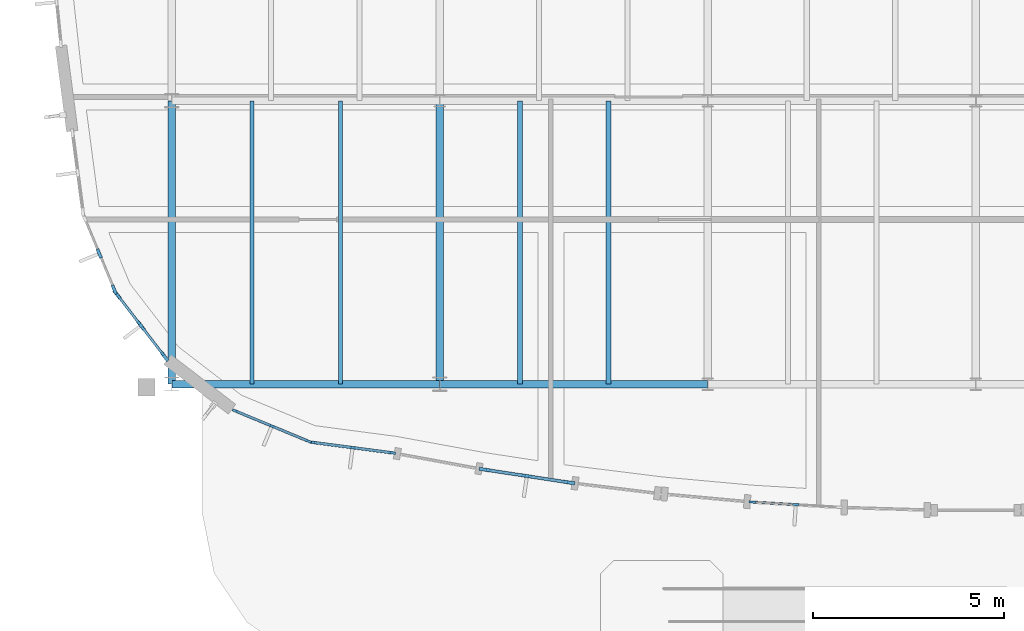
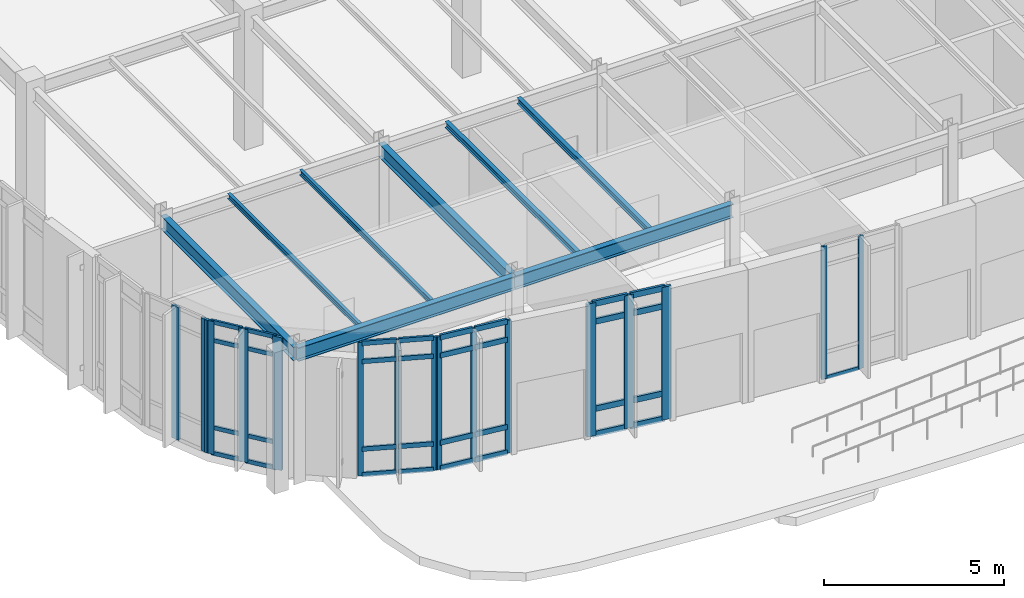
# One storey, part 38 of 120: 49 members, 8 beams, 6 elements without a shape of their own.
"""IFC4 building model written with IfcOpenShell, lengths in metres."""

from ifc_helpers import new_model, si_unit, direction, frame, origin, origin_2d, place, context, subcontext, project, spatial, rectangle, i_section, extrude, material, material_profile, profile_set, type_object, element, aggregate, save


model = new_model("IFC4")

# Units and contexts
model_context = context("Model", 3, precision=1e-05, world=origin(), true_north=direction((0.0, 1.0)))
body_context = subcontext(model_context, "Body", "Model", "MODEL_VIEW")
ifc_project = project(units=[si_unit("LENGTHUNIT", "METRE"), si_unit("AREAUNIT", "SQUARE_METRE"), si_unit("VOLUMEUNIT", "CUBIC_METRE"), si_unit("PLANEANGLEUNIT", "RADIAN"), si_unit("MASSUNIT", "GRAM", prefix="KILO")], contexts=[model_context])

# Site, building, storey
site_placement = place(None, origin())
site = spatial("IfcSite", under=ifc_project, at=site_placement, CompositionType="ELEMENT")
building_placement = place(site_placement, origin())
building = spatial("IfcBuilding", under=site, at=building_placement, Name="Corveleigh Park Community Centre", CompositionType="ELEMENT")
storey_placement = place(building_placement, origin())
storey = spatial("IfcBuildingStorey", under=building, at=storey_placement, Name="L00", CompositionType="ELEMENT", Elevation=0.0)

# Beams
ifc_material_1 = material(Name="Steel S355", Category="steel")
ifc_material_profile_1 = material_profile(ifc_material_1, i_section(OverallWidth=0.101318359375, OverallDepth=0.177734375, WebThickness=0.0048828125, FlangeThickness=0.0078125, at=origin_2d()), Name="UKB 178x102x19", Category="steel")
ifc_profile_set_1 = profile_set([ifc_material_profile_1], Name="Steel S355")
beam_type_1 = type_object("IfcBeamType", Name="BM-STL-UKB178x19", PredefinedType="JOIST", material=ifc_profile_set_1)
for number, where, z_axis, x_axis, name in (
    (1, (13.300048828125, 78.0048828125, 4.43798828125), (0.0, 1.0, 0.0), (-1.0, 0.0, 0.0), "Secondary floor joist"),
    (2, (15.610107421875, 78.0048828125, 4.43798828125), (0.0, 1.0, 0.0), (-1.0, 0.0, 0.0), "Secondary floor joist"),
):
    element("IfcBeam", number, at=place(storey_placement, frame(where, z_axis=z_axis, x_axis=x_axis)), inside=storey, type_object=beam_type_1, Name=name, PredefinedType="JOIST", context=body_context, shape_type="SweptSolid", body=[
        extrude(i_section(OverallWidth=0.101318359375, OverallDepth=0.177734375, WebThickness=0.0048828125, FlangeThickness=0.0078125, at=origin_2d()), origin(), (0.0, 0.0, 1.0), 7.39013671875),
    ])
ifc_material_profile_2 = material_profile(ifc_material_1, i_section(OverallWidth=0.13330078125, OverallDepth=0.203125, WebThickness=0.005615234375, FlangeThickness=0.0078125, at=origin_2d()), Name="UKB 203x133x25", Category="steel")
ifc_profile_set_2 = profile_set([ifc_material_profile_2], Name="Steel S355")
beam_type_2 = type_object("IfcBeamType", Name="BM-STL-UKB203x25", PredefinedType="JOIST", material=ifc_profile_set_2)
for number, where, z_axis, x_axis, name in (
    (3, (20.300048828125, 78.0048828125, 4.42529296875), (0.0, 1.0, 0.0), (-1.0, 0.0, 0.0), "Secondary floor joist"),
    (4, (22.610107421875, 78.0048828125, 4.42529296875), (0.0, 1.0, 0.0), (-1.0, 0.0, 0.0), "Secondary floor joist"),
):
    element("IfcBeam", number, at=place(storey_placement, frame(where, z_axis=z_axis, x_axis=x_axis)), inside=storey, type_object=beam_type_2, Name=name, PredefinedType="JOIST", context=body_context, shape_type="SweptSolid", body=[
        extrude(i_section(OverallWidth=0.13330078125, OverallDepth=0.203125, WebThickness=0.005615234375, FlangeThickness=0.0078125, at=origin_2d()), origin(), (0.0, 0.0, 1.0), 7.39013671875),
    ])
ifc_material_profile_3 = material_profile(ifc_material_1, i_section(OverallWidth=0.1904296875, OverallDepth=0.45703125, WebThickness=0.009033203125, FlangeThickness=0.014404296875, at=origin_2d()), Name="UKB 457x191x74", Category="steel")
ifc_profile_set_3 = profile_set([ifc_material_profile_3], Name="Steel S355")
beam_type_3 = type_object("IfcBeamType", Name="BM-STL-UKB457x74", PredefinedType="BEAM", material=ifc_profile_set_3)
for number, where, z_axis, x_axis, name in (
    (5, (11.199951171875, 78.0048828125, 4.298583984375), (0.0, 1.0, 0.0), (-1.0, 0.0, 0.0), "V2 Studio Girder Y"),
    (6, (18.199951171875, 78.0048828125, 4.298583984375), (0.0, 1.0, 0.0), (-1.0, 0.0, 0.0), "V2 Studio Girder Y"),
):
    element("IfcBeam", number, at=place(storey_placement, frame(where, z_axis=z_axis, x_axis=x_axis)), inside=storey, type_object=beam_type_3, Name=name, PredefinedType="BEAM", context=body_context, shape_type="SweptSolid", body=[
        extrude(i_section(OverallWidth=0.1904296875, OverallDepth=0.45703125, WebThickness=0.009033203125, FlangeThickness=0.014404296875, at=origin_2d()), origin(), (0.0, 0.0, 1.0), 7.39013671875),
    ])
ifc_material_profile_4 = material_profile(ifc_material_1, i_section(OverallWidth=0.19140625, OverallDepth=0.4599609375, WebThickness=0.010009765625, FlangeThickness=0.01611328125, at=origin_2d()), Name="UKB 457x191x82", Category="steel")
ifc_profile_set_4 = profile_set([ifc_material_profile_4], Name="Steel S355")
beam_type_4 = type_object("IfcBeamType", Name="BM-STL-UKB457x82", PredefinedType="BEAM", material=ifc_profile_set_4)
for number, where, z_axis, x_axis, name in (
    (7, (11.205078125, 78.0, 4.297119140625), (1.0, 0.0, 0.0), (0.0, 1.0, 0.0), "V2 Studio Girder X"),
    (8, (18.205078125, 78.0, 4.297119140625), (1.0, 0.0, 0.0), (0.0, 1.0, 0.0), "V2 Studio Girder X"),
):
    element("IfcBeam", number, at=place(storey_placement, frame(where, z_axis=z_axis, x_axis=x_axis)), inside=storey, type_object=beam_type_4, Name=name, PredefinedType="BEAM", context=body_context, shape_type="SweptSolid", body=[
        extrude(i_section(OverallWidth=0.19140625, OverallDepth=0.4599609375, WebThickness=0.010009765625, FlangeThickness=0.01611328125, at=origin_2d()), origin(), (0.0, 0.0, 1.0), 6.989990234375),
    ])

# Curtain wall, members
ifc_material_2 = material(Name="Anodised aluminium 6063-T6", Category="aluminium")
curtain_wall_type = type_object("IfcCurtainWallType", Name="CW-SYS-V2-L00", PredefinedType="NOTDEFINED", material=ifc_material_2)
curtain_wall_1_placement = place(storey_placement, origin())
curtain_wall_1 = element("IfcCurtainWall", 9, at=curtain_wall_1_placement, inside=storey, type_object=curtain_wall_type, Name="V2 L00 Curtain Wall 31", PredefinedType="NOTDEFINED")
ifc_material_profile_5 = material_profile(ifc_material_2, rectangle(XDim=0.06005859375, YDim=0.159912109375, at=origin_2d()), Name="ALU-M60x160", Category="aluminium")
ifc_profile_set_5 = profile_set([ifc_material_profile_5], Name="Anodised aluminium 6063-T6")
member_type_1 = type_object("IfcMemberType", Name="CWM-60x160", PredefinedType="MULLION", material=ifc_profile_set_5)
member_1_placement = place(storey_placement, frame((27.49658203125, 74.85205078125, 0.0), z_axis=(0.0, 0.0, 1.0), x_axis=(-0.059952027591, -0.99820125946, 0.0)))
member_1 = element("IfcMember", 10, at=member_1_placement, type_object=member_type_1, Name="CW03 mullion 2", PredefinedType="MULLION", context=body_context, shape_type="SweptSolid", body=[
    extrude(rectangle(XDim=0.06005859375, YDim=0.159912109375, at=origin_2d()), origin(), (0.0, 0.0, 1.0), 4.511962890625),
])
member_2_placement = place(storey_placement, frame((26.36083984375, 74.920166015625, 0.0), z_axis=(0.0, 0.0, 1.0), x_axis=(-0.059952027591, -0.99820125946, 0.0)))
member_2 = element("IfcMember", 11, at=member_2_placement, type_object=member_type_1, Name="CW03 mullion 3", PredefinedType="MULLION", context=body_context, shape_type="SweptSolid", body=[
    extrude(rectangle(XDim=0.06005859375, YDim=0.159912109375, at=origin_2d()), origin(), (0.0, 0.0, 1.0), 4.511962890625),
])

curtain_wall_2_placement = place(storey_placement, origin())
curtain_wall_2 = element("IfcCurtainWall", 12, at=curtain_wall_2_placement, inside=storey, type_object=curtain_wall_type, Name="V2 L00 Curtain Wall 73", PredefinedType="NOTDEFINED")
member_3_placement = place(storey_placement, frame((14.768310546875, 76.509521484375, 0.0), z_axis=(0.0, 0.0, 1.0), x_axis=(-0.382946568059, -0.923770494231, 0.0)))
member_3 = element("IfcMember", 13, at=member_3_placement, type_object=member_type_1, Name="CW03 mullion 1", PredefinedType="MULLION", context=body_context, shape_type="SweptSolid", body=[
    extrude(rectangle(XDim=0.06005859375, YDim=0.159912109375, at=origin_2d()), origin(), (0.0, 0.0, 1.0), 4.527099609375),
])
member_4_placement = place(storey_placement, frame((13.81298828125, 76.905517578125, 0.0), z_axis=(0.0, 0.0, 1.0), x_axis=(-0.382946568059, -0.923770494231, 0.0)))
member_4 = element("IfcMember", 14, at=member_4_placement, type_object=member_type_1, Name="CW03 mullion 2", PredefinedType="MULLION", context=body_context, shape_type="SweptSolid", body=[
    extrude(rectangle(XDim=0.06005859375, YDim=0.159912109375, at=origin_2d()), origin(), (0.0, 0.0, 1.0), 4.527099609375),
])
member_5_placement = place(storey_placement, frame((12.857666015625, 77.301513671875, 0.0), z_axis=(0.0, 0.0, 1.0), x_axis=(-0.382946568059, -0.923770494231, 0.0)))
member_5 = element("IfcMember", 15, at=member_5_placement, type_object=member_type_1, Name="CW03 mullion 3", PredefinedType="MULLION", context=body_context, shape_type="SweptSolid", body=[
    extrude(rectangle(XDim=0.06005859375, YDim=0.159912109375, at=origin_2d()), origin(), (0.0, 0.0, 1.0), 4.527099609375),
])

curtain_wall_3_placement = place(storey_placement, origin())
curtain_wall_3 = element("IfcCurtainWall", 16, at=curtain_wall_3_placement, inside=storey, type_object=curtain_wall_type, Name="V2 L00 Curtain Wall 74", PredefinedType="NOTDEFINED")
ifc_material_profile_6 = material_profile(ifc_material_2, rectangle(XDim=0.06494140625, YDim=0.179931640625, at=origin_2d()), Name="ALU-M65x180", Category="aluminium")
ifc_profile_set_6 = profile_set([ifc_material_profile_6], Name="Anodised aluminium 6063-T6")
member_type_2 = type_object("IfcMemberType", Name="CWM-65x180", PredefinedType="MULLION", material=ifc_profile_set_6)
member_6_placement = place(storey_placement, frame((16.956787109375, 76.205322265625, 0.0), z_axis=(0.0, 0.0, 1.0), x_axis=(-0.130731305458, -0.991417836118, 0.0)))
member_6 = element("IfcMember", 17, at=member_6_placement, type_object=member_type_2, Name="CW03 mullion 1", PredefinedType="MULLION", context=body_context, shape_type="SweptSolid", body=[
    extrude(rectangle(XDim=0.06494140625, YDim=0.179931640625, at=origin_2d()), origin(), (0.0, 0.0, 1.0), 4.511962890625),
])
member_7_placement = place(storey_placement, frame((15.923583984375, 76.341552734375, 0.0), z_axis=(0.0, 0.0, 1.0), x_axis=(-0.130731305458, -0.991417836118, 0.0)))
member_7 = element("IfcMember", 18, at=member_7_placement, type_object=member_type_2, Name="CW03 mullion 2", PredefinedType="MULLION", context=body_context, shape_type="SweptSolid", body=[
    extrude(rectangle(XDim=0.06494140625, YDim=0.179931640625, at=origin_2d()), origin(), (0.0, 0.0, 1.0), 4.511962890625),
])
member_8_placement = place(storey_placement, frame((14.89013671875, 76.477783203125, 0.0), z_axis=(0.0, 0.0, 1.0), x_axis=(-0.130731305458, -0.991417836118, 0.0)))
member_8 = element("IfcMember", 19, at=member_8_placement, type_object=member_type_2, Name="CW03 mullion 3", PredefinedType="MULLION", context=body_context, shape_type="SweptSolid", body=[
    extrude(rectangle(XDim=0.06494140625, YDim=0.179931640625, at=origin_2d()), origin(), (0.0, 0.0, 1.0), 4.511962890625),
])

curtain_wall_4_placement = place(storey_placement, origin())
curtain_wall_4 = element("IfcCurtainWall", 20, at=curtain_wall_4_placement, inside=storey, type_object=curtain_wall_type, Name="V2 L00 Curtain Wall 71", PredefinedType="NOTDEFINED")
ifc_material_profile_7 = material_profile(ifc_material_2, rectangle(XDim=0.080078125, YDim=0.25, at=origin_2d()), Name="ALU-M80x250", Category="aluminium")
ifc_profile_set_7 = profile_set([ifc_material_profile_7], Name="Anodised aluminium 6063-T6")
member_type_3 = type_object("IfcMemberType", Name="CWM-80x250", PredefinedType="MULLION", material=ifc_profile_set_7)
member_9_placement = place(storey_placement, frame((9.69775390625, 80.467041015625, 0.0), z_axis=(0.0, 0.0, 1.0), x_axis=(-0.923770494231, -0.382946568059, 0.0)))
member_9 = element("IfcMember", 21, at=member_9_placement, type_object=member_type_3, Name="CW03 mullion 1", PredefinedType="MULLION", context=body_context, shape_type="SweptSolid", body=[
    extrude(rectangle(XDim=0.080078125, YDim=0.25, at=origin_2d()), origin(), (0.0, 0.0, 1.0), 4.511962890625),
])
member_10_placement = place(storey_placement, frame((9.305419921875, 81.4130859375, 0.0), z_axis=(0.0, 0.0, 1.0), x_axis=(-0.923770494231, -0.382946568059, 0.0)))
member_10 = element("IfcMember", 22, at=member_10_placement, type_object=member_type_3, Name="CW03 mullion 2", PredefinedType="MULLION", context=body_context, shape_type="SweptSolid", body=[
    extrude(rectangle(XDim=0.080078125, YDim=0.25, at=origin_2d()), origin(), (0.0, 0.0, 1.0), 4.511962890625),
])
aggregate(curtain_wall_4, [member_9, member_10])

curtain_wall_5_placement = place(storey_placement, origin())
curtain_wall_5 = element("IfcCurtainWall", 23, at=curtain_wall_5_placement, inside=storey, type_object=curtain_wall_type, Name="V2 L00 Curtain Wall 30", PredefinedType="NOTDEFINED")
ifc_material_profile_8 = material_profile(ifc_material_2, rectangle(XDim=0.0849609375, YDim=0.27490234375, at=origin_2d()), Name="ALU-M85x275", Category="aluminium")
ifc_profile_set_8 = profile_set([ifc_material_profile_8], Name="Anodised aluminium 6063-T6")
member_type_4 = type_object("IfcMemberType", Name="CWM-85x275", PredefinedType="MULLION", material=ifc_profile_set_8)
member_11_placement = place(storey_placement, frame((21.590087890625, 75.428466796875, 0.0), z_axis=(0.0, 0.0, 1.0), x_axis=(-0.150769611128, -0.988568927471, 0.0)))
member_11 = element("IfcMember", 24, at=member_11_placement, type_object=member_type_4, Name="CW03 mullion 1", PredefinedType="MULLION", context=body_context, shape_type="SweptSolid", body=[
    extrude(rectangle(XDim=0.0849609375, YDim=0.27490234375, at=origin_2d()), origin(), (0.0, 0.0, 1.0), 4.511962890625),
])
member_12_placement = place(storey_placement, frame((20.47802734375, 75.597900390625, 0.0), z_axis=(0.0, 0.0, 1.0), x_axis=(-0.150769611128, -0.988568927471, 0.0)))
member_12 = element("IfcMember", 25, at=member_12_placement, type_object=member_type_4, Name="CW03 mullion 2", PredefinedType="MULLION", context=body_context, shape_type="SweptSolid", body=[
    extrude(rectangle(XDim=0.0849609375, YDim=0.27490234375, at=origin_2d()), origin(), (0.0, 0.0, 1.0), 4.511962890625),
])
member_13_placement = place(storey_placement, frame((19.365966796875, 75.767578125, 0.0), z_axis=(0.0, 0.0, 1.0), x_axis=(-0.150769611128, -0.988568927471, 0.0)))
member_13 = element("IfcMember", 26, at=member_13_placement, type_object=member_type_4, Name="CW03 mullion 3", PredefinedType="MULLION", context=body_context, shape_type="SweptSolid", body=[
    extrude(rectangle(XDim=0.0849609375, YDim=0.27490234375, at=origin_2d()), origin(), (0.0, 0.0, 1.0), 4.511962890625),
])

curtain_wall_6_placement = place(storey_placement, origin())
curtain_wall_6 = element("IfcCurtainWall", 27, at=curtain_wall_6_placement, inside=storey, type_object=curtain_wall_type, Name="V2 L00 Curtain Wall 72", PredefinedType="NOTDEFINED")
member_14_placement = place(storey_placement, frame((11.01513671875, 78.71875, 0.0), z_axis=(0.0, 0.0, 1.0), x_axis=(-0.793304053581, -0.608825655317, 0.0)))
member_14 = element("IfcMember", 28, at=member_14_placement, type_object=member_type_4, Name="CW03 mullion 1", PredefinedType="MULLION", context=body_context, shape_type="SweptSolid", body=[
    extrude(rectangle(XDim=0.0849609375, YDim=0.27490234375, at=origin_2d()), origin(), (0.0, 0.0, 1.0), 4.511962890625),
])
member_15_placement = place(storey_placement, frame((10.392578125, 79.530029296875, 0.0), z_axis=(0.0, 0.0, 1.0), x_axis=(-0.793304053581, -0.608825655317, 0.0)))
member_15 = element("IfcMember", 29, at=member_15_placement, type_object=member_type_4, Name="CW03 mullion 2", PredefinedType="MULLION", context=body_context, shape_type="SweptSolid", body=[
    extrude(rectangle(XDim=0.0849609375, YDim=0.27490234375, at=origin_2d()), origin(), (0.0, 0.0, 1.0), 4.511962890625),
])
member_16_placement = place(storey_placement, frame((9.769775390625, 80.34130859375, 0.0), z_axis=(0.0, 0.0, 1.0), x_axis=(-0.793304053581, -0.608825655317, 0.0)))
member_16 = element("IfcMember", 30, at=member_16_placement, type_object=member_type_4, Name="CW03 mullion 3", PredefinedType="MULLION", context=body_context, shape_type="SweptSolid", body=[
    extrude(rectangle(XDim=0.0849609375, YDim=0.27490234375, at=origin_2d()), origin(), (0.0, 0.0, 1.0), 4.511962890625),
])

# Member
ifc_material_profile_9 = material_profile(ifc_material_2, rectangle(XDim=0.06005859375, YDim=0.1201171875, at=origin_2d()), Name="ALU-T60x120", Category="aluminium")
ifc_profile_set_9 = profile_set([ifc_material_profile_9], Name="Anodised aluminium 6063-T6")
member_type_5 = type_object("IfcMemberType", Name="CWT-60x120", PredefinedType="USERDEFINED", material=ifc_profile_set_9)
member_17_placement = place(storey_placement, frame((27.466552734375, 74.853759765625, 0.030029296875), z_axis=(-0.99819616655, 0.060036764443, 0.0), x_axis=(-0.060036764443, -0.99819616655, 0.0)))
member_17 = element("IfcMember", 31, at=member_17_placement, type_object=member_type_5, Name="CW03 transom 2.1", ObjectType="TRANSOM", PredefinedType="USERDEFINED", context=body_context, shape_type="SweptSolid", body=[
    extrude(rectangle(XDim=0.06005859375, YDim=0.1201171875, at=origin_2d()), origin(), (0.0, 0.0, 1.0), 1.07763671875),
])

aggregate(curtain_wall_1, [member_1, member_2, member_17])

ifc_material_profile_10 = material_profile(ifc_material_2, rectangle(XDim=0.06494140625, YDim=0.139892578125, at=origin_2d()), Name="ALU-T65x140", Category="aluminium")
ifc_profile_set_10 = profile_set([ifc_material_profile_10], Name="Anodised aluminium 6063-T6")
member_type_6 = type_object("IfcMemberType", Name="CWT-65x140", PredefinedType="USERDEFINED", material=ifc_profile_set_10)
member_18_placement = place(storey_placement, frame((10.9892578125, 78.75244140625, 0.032470703125), z_axis=(-0.608753999833, 0.793359040843, 0.0), x_axis=(-0.793359040843, -0.608753999833, 0.0)))
member_18 = element("IfcMember", 32, at=member_18_placement, type_object=member_type_6, Name="CW03 transom 1.1", ObjectType="TRANSOM", PredefinedType="USERDEFINED", context=body_context, shape_type="SweptSolid", body=[
    extrude(rectangle(XDim=0.06494140625, YDim=0.139892578125, at=origin_2d()), origin(), (0.0, 0.0, 1.0), 0.937744140625),
])

member_19_placement = place(storey_placement, frame((10.9892578125, 78.75244140625, 0.89990234375), z_axis=(-0.608753999833, 0.793359040843, 0.0), x_axis=(-0.793359040843, -0.608753999833, 0.0)))
member_19 = element("IfcMember", 33, at=member_19_placement, type_object=member_type_6, Name="CW03 transom 1.2", ObjectType="TRANSOM", PredefinedType="USERDEFINED", context=body_context, shape_type="SweptSolid", body=[
    extrude(rectangle(XDim=0.06494140625, YDim=0.139892578125, at=origin_2d()), origin(), (0.0, 0.0, 1.0), 0.937744140625),
])

member_20_placement = place(storey_placement, frame((10.9892578125, 78.75244140625, 3.862060546875), z_axis=(-0.608753999833, 0.793359040843, 0.0), x_axis=(-0.793359040843, -0.608753999833, 0.0)))
member_20 = element("IfcMember", 34, at=member_20_placement, type_object=member_type_6, Name="CW03 transom 1.3", ObjectType="TRANSOM", PredefinedType="USERDEFINED", context=body_context, shape_type="SweptSolid", body=[
    extrude(rectangle(XDim=0.06494140625, YDim=0.139892578125, at=origin_2d()), origin(), (0.0, 0.0, 1.0), 0.937744140625),
])

member_21_placement = place(storey_placement, frame((10.9892578125, 78.75244140625, 4.4794921875), z_axis=(-0.608753999833, 0.793359040843, 0.0), x_axis=(-0.793359040843, -0.608753999833, 0.0)))
member_21 = element("IfcMember", 35, at=member_21_placement, type_object=member_type_6, Name="CW03 transom 1.4", ObjectType="TRANSOM", PredefinedType="USERDEFINED", context=body_context, shape_type="SweptSolid", body=[
    extrude(rectangle(XDim=0.06494140625, YDim=0.139892578125, at=origin_2d()), origin(), (0.0, 0.0, 1.0), 0.937744140625),
])

member_22_placement = place(storey_placement, frame((10.36669921875, 79.563720703125, 0.032470703125), z_axis=(-0.608917844993, 0.793233293584, 0.0), x_axis=(-0.793233293584, -0.608917844993, 0.0)))
member_22 = element("IfcMember", 36, at=member_22_placement, type_object=member_type_6, Name="CW03 transom 2.1", ObjectType="TRANSOM", PredefinedType="USERDEFINED", context=body_context, shape_type="SweptSolid", body=[
    extrude(rectangle(XDim=0.06494140625, YDim=0.139892578125, at=origin_2d()), origin(), (0.0, 0.0, 1.0), 0.937744140625),
])

member_23_placement = place(storey_placement, frame((10.36669921875, 79.563720703125, 0.89990234375), z_axis=(-0.608917844993, 0.793233293584, 0.0), x_axis=(-0.793233293584, -0.608917844993, 0.0)))
member_23 = element("IfcMember", 37, at=member_23_placement, type_object=member_type_6, Name="CW03 transom 2.2", ObjectType="TRANSOM", PredefinedType="USERDEFINED", context=body_context, shape_type="SweptSolid", body=[
    extrude(rectangle(XDim=0.06494140625, YDim=0.139892578125, at=origin_2d()), origin(), (0.0, 0.0, 1.0), 0.937744140625),
])

member_24_placement = place(storey_placement, frame((10.36669921875, 79.563720703125, 3.862060546875), z_axis=(-0.608917844993, 0.793233293584, 0.0), x_axis=(-0.793233293584, -0.608917844993, 0.0)))
member_24 = element("IfcMember", 38, at=member_24_placement, type_object=member_type_6, Name="CW03 transom 2.3", ObjectType="TRANSOM", PredefinedType="USERDEFINED", context=body_context, shape_type="SweptSolid", body=[
    extrude(rectangle(XDim=0.06494140625, YDim=0.139892578125, at=origin_2d()), origin(), (0.0, 0.0, 1.0), 0.937744140625),
])

member_25_placement = place(storey_placement, frame((10.36669921875, 79.563720703125, 4.4794921875), z_axis=(-0.608917844993, 0.793233293584, 0.0), x_axis=(-0.793233293584, -0.608917844993, 0.0)))
member_25 = element("IfcMember", 39, at=member_25_placement, type_object=member_type_6, Name="CW03 transom 2.4", ObjectType="TRANSOM", PredefinedType="USERDEFINED", context=body_context, shape_type="SweptSolid", body=[
    extrude(rectangle(XDim=0.06494140625, YDim=0.139892578125, at=origin_2d()), origin(), (0.0, 0.0, 1.0), 0.937744140625),
])

aggregate(curtain_wall_6, [member_14, member_15, member_16, member_18, member_19, member_20, member_21, member_22, member_23, member_24, member_25])

ifc_material_profile_11 = material_profile(ifc_material_2, rectangle(XDim=0.070068359375, YDim=0.155029296875, at=origin_2d()), Name="ALU-T70x155", Category="aluminium")
ifc_profile_set_11 = profile_set([ifc_material_profile_11], Name="Anodised aluminium 6063-T6")
member_type_7 = type_object("IfcMemberType", Name="CWT-70x155", PredefinedType="USERDEFINED", material=ifc_profile_set_11)
member_26_placement = place(storey_placement, frame((14.740478515625, 76.52099609375, 0.034912109375), z_axis=(-0.923735623896, 0.383030673898, 0.0), x_axis=(-0.383030673898, -0.923735623896, 0.0)))
member_26 = element("IfcMember", 40, at=member_26_placement, type_object=member_type_7, Name="CW03 transom 1.1", ObjectType="TRANSOM", PredefinedType="USERDEFINED", context=body_context, shape_type="SweptSolid", body=[
    extrude(rectangle(XDim=0.070068359375, YDim=0.155029296875, at=origin_2d()), origin(), (0.0, 0.0, 1.0), 0.973876953125),
])

member_27_placement = place(storey_placement, frame((14.740478515625, 76.52099609375, 0.89990234375), z_axis=(-0.923735623896, 0.383030673898, 0.0), x_axis=(-0.383030673898, -0.923735623896, 0.0)))
member_27 = element("IfcMember", 41, at=member_27_placement, type_object=member_type_7, Name="CW03 transom 1.2", ObjectType="TRANSOM", PredefinedType="USERDEFINED", context=body_context, shape_type="SweptSolid", body=[
    extrude(rectangle(XDim=0.070068359375, YDim=0.155029296875, at=origin_2d()), origin(), (0.0, 0.0, 1.0), 0.973876953125),
])

member_28_placement = place(storey_placement, frame((14.740478515625, 76.52099609375, 3.876953125), z_axis=(-0.923735623896, 0.383030673898, 0.0), x_axis=(-0.383030673898, -0.923735623896, 0.0)))
member_28 = element("IfcMember", 42, at=member_28_placement, type_object=member_type_7, Name="CW03 transom 1.3", ObjectType="TRANSOM", PredefinedType="USERDEFINED", context=body_context, shape_type="SweptSolid", body=[
    extrude(rectangle(XDim=0.070068359375, YDim=0.155029296875, at=origin_2d()), origin(), (0.0, 0.0, 1.0), 0.973876953125),
])

member_29_placement = place(storey_placement, frame((14.740478515625, 76.52099609375, 4.491943359375), z_axis=(-0.923735623896, 0.383030673898, 0.0), x_axis=(-0.383030673898, -0.923735623896, 0.0)))
member_29 = element("IfcMember", 43, at=member_29_placement, type_object=member_type_7, Name="CW03 transom 1.4", ObjectType="TRANSOM", PredefinedType="USERDEFINED", context=body_context, shape_type="SweptSolid", body=[
    extrude(rectangle(XDim=0.070068359375, YDim=0.155029296875, at=origin_2d()), origin(), (0.0, 0.0, 1.0), 0.973876953125),
])

member_30_placement = place(storey_placement, frame((13.785400390625, 76.9169921875, 0.034912109375), z_axis=(-0.923772388211, 0.382941999237, 0.0), x_axis=(-0.382941999237, -0.923772388211, 0.0)))
member_30 = element("IfcMember", 44, at=member_30_placement, type_object=member_type_7, Name="CW03 transom 2.1", ObjectType="TRANSOM", PredefinedType="USERDEFINED", context=body_context, shape_type="SweptSolid", body=[
    extrude(rectangle(XDim=0.070068359375, YDim=0.155029296875, at=origin_2d()), origin(), (0.0, 0.0, 1.0), 0.97412109375),
])

member_31_placement = place(storey_placement, frame((13.785400390625, 76.9169921875, 0.89990234375), z_axis=(-0.923772388211, 0.382941999237, 0.0), x_axis=(-0.382941999237, -0.923772388211, 0.0)))
member_31 = element("IfcMember", 45, at=member_31_placement, type_object=member_type_7, Name="CW03 transom 2.2", ObjectType="TRANSOM", PredefinedType="USERDEFINED", context=body_context, shape_type="SweptSolid", body=[
    extrude(rectangle(XDim=0.070068359375, YDim=0.155029296875, at=origin_2d()), origin(), (0.0, 0.0, 1.0), 0.97412109375),
])

member_32_placement = place(storey_placement, frame((13.785400390625, 76.9169921875, 3.876953125), z_axis=(-0.923772388211, 0.382941999237, 0.0), x_axis=(-0.382941999237, -0.923772388211, 0.0)))
member_32 = element("IfcMember", 46, at=member_32_placement, type_object=member_type_7, Name="CW03 transom 2.3", ObjectType="TRANSOM", PredefinedType="USERDEFINED", context=body_context, shape_type="SweptSolid", body=[
    extrude(rectangle(XDim=0.070068359375, YDim=0.155029296875, at=origin_2d()), origin(), (0.0, 0.0, 1.0), 0.97412109375),
])

member_33_placement = place(storey_placement, frame((13.785400390625, 76.9169921875, 4.491943359375), z_axis=(-0.923772388211, 0.382941999237, 0.0), x_axis=(-0.382941999237, -0.923772388211, 0.0)))
member_33 = element("IfcMember", 47, at=member_33_placement, type_object=member_type_7, Name="CW03 transom 2.4", ObjectType="TRANSOM", PredefinedType="USERDEFINED", context=body_context, shape_type="SweptSolid", body=[
    extrude(rectangle(XDim=0.070068359375, YDim=0.155029296875, at=origin_2d()), origin(), (0.0, 0.0, 1.0), 0.97412109375),
])

aggregate(curtain_wall_2, [member_3, member_4, member_5, member_26, member_27, member_28, member_29, member_30, member_31, member_32, member_33])

ifc_material_profile_12 = material_profile(ifc_material_2, rectangle(XDim=0.074951171875, YDim=0.175048828125, at=origin_2d()), Name="ALU-T75x175", Category="aluminium")
ifc_profile_set_12 = profile_set([ifc_material_profile_12], Name="Anodised aluminium 6063-T6")
member_type_8 = type_object("IfcMemberType", Name="CWT-75x175", PredefinedType="USERDEFINED", material=ifc_profile_set_12)
member_34_placement = place(storey_placement, frame((16.924560546875, 76.20947265625, 0.03759765625), z_axis=(-0.991425356703, 0.130674259465, 0.0), x_axis=(-0.130674259465, -0.991425356703, 0.0)))
member_34 = element("IfcMember", 48, at=member_34_placement, type_object=member_type_8, Name="CW03 transom 1.1", ObjectType="TRANSOM", PredefinedType="USERDEFINED", context=body_context, shape_type="SweptSolid", body=[
    extrude(rectangle(XDim=0.074951171875, YDim=0.175048828125, at=origin_2d()), origin(), (0.0, 0.0, 1.0), 0.97705078125),
])

member_35_placement = place(storey_placement, frame((16.924560546875, 76.20947265625, 0.89990234375), z_axis=(-0.991425356703, 0.130674259465, 0.0), x_axis=(-0.130674259465, -0.991425356703, 0.0)))
member_35 = element("IfcMember", 49, at=member_35_placement, type_object=member_type_8, Name="CW03 transom 1.2", ObjectType="TRANSOM", PredefinedType="USERDEFINED", context=body_context, shape_type="SweptSolid", body=[
    extrude(rectangle(XDim=0.074951171875, YDim=0.175048828125, at=origin_2d()), origin(), (0.0, 0.0, 1.0), 0.97705078125),
])

member_36_placement = place(storey_placement, frame((16.924560546875, 76.20947265625, 3.862060546875), z_axis=(-0.991425356703, 0.130674259465, 0.0), x_axis=(-0.130674259465, -0.991425356703, 0.0)))
member_36 = element("IfcMember", 50, at=member_36_placement, type_object=member_type_8, Name="CW03 transom 1.3", ObjectType="TRANSOM", PredefinedType="USERDEFINED", context=body_context, shape_type="SweptSolid", body=[
    extrude(rectangle(XDim=0.074951171875, YDim=0.175048828125, at=origin_2d()), origin(), (0.0, 0.0, 1.0), 0.97705078125),
])

member_37_placement = place(storey_placement, frame((16.924560546875, 76.20947265625, 4.474609375), z_axis=(-0.991425356703, 0.130674259465, 0.0), x_axis=(-0.130674259465, -0.991425356703, 0.0)))
member_37 = element("IfcMember", 51, at=member_37_placement, type_object=member_type_8, Name="CW03 transom 1.4", ObjectType="TRANSOM", PredefinedType="USERDEFINED", context=body_context, shape_type="SweptSolid", body=[
    extrude(rectangle(XDim=0.074951171875, YDim=0.175048828125, at=origin_2d()), origin(), (0.0, 0.0, 1.0), 0.97705078125),
])

member_38_placement = place(storey_placement, frame((15.891357421875, 76.345703125, 0.03759765625), z_axis=(-0.991429621586, 0.13064189773, 0.0), x_axis=(-0.13064189773, -0.991429621586, 0.0)))
member_38 = element("IfcMember", 52, at=member_38_placement, type_object=member_type_8, Name="CW03 transom 2.1", ObjectType="TRANSOM", PredefinedType="USERDEFINED", context=body_context, shape_type="SweptSolid", body=[
    extrude(rectangle(XDim=0.074951171875, YDim=0.175048828125, at=origin_2d()), origin(), (0.0, 0.0, 1.0), 0.977294921875),
])

member_39_placement = place(storey_placement, frame((15.891357421875, 76.345703125, 0.89990234375), z_axis=(-0.991429621586, 0.13064189773, 0.0), x_axis=(-0.13064189773, -0.991429621586, 0.0)))
member_39 = element("IfcMember", 53, at=member_39_placement, type_object=member_type_8, Name="CW03 transom 2.2", ObjectType="TRANSOM", PredefinedType="USERDEFINED", context=body_context, shape_type="SweptSolid", body=[
    extrude(rectangle(XDim=0.074951171875, YDim=0.175048828125, at=origin_2d()), origin(), (0.0, 0.0, 1.0), 0.977294921875),
])

member_40_placement = place(storey_placement, frame((15.891357421875, 76.345703125, 3.862060546875), z_axis=(-0.991429621586, 0.13064189773, 0.0), x_axis=(-0.13064189773, -0.991429621586, 0.0)))
member_40 = element("IfcMember", 54, at=member_40_placement, type_object=member_type_8, Name="CW03 transom 2.3", ObjectType="TRANSOM", PredefinedType="USERDEFINED", context=body_context, shape_type="SweptSolid", body=[
    extrude(rectangle(XDim=0.074951171875, YDim=0.175048828125, at=origin_2d()), origin(), (0.0, 0.0, 1.0), 0.977294921875),
])

member_41_placement = place(storey_placement, frame((15.891357421875, 76.345703125, 4.474609375), z_axis=(-0.991429621586, 0.13064189773, 0.0), x_axis=(-0.13064189773, -0.991429621586, 0.0)))
member_41 = element("IfcMember", 55, at=member_41_placement, type_object=member_type_8, Name="CW03 transom 2.4", ObjectType="TRANSOM", PredefinedType="USERDEFINED", context=body_context, shape_type="SweptSolid", body=[
    extrude(rectangle(XDim=0.074951171875, YDim=0.175048828125, at=origin_2d()), origin(), (0.0, 0.0, 1.0), 0.977294921875),
])

aggregate(curtain_wall_3, [member_6, member_7, member_8, member_34, member_35, member_36, member_37, member_38, member_39, member_40, member_41])

ifc_material_profile_13 = material_profile(ifc_material_2, rectangle(XDim=0.080078125, YDim=0.195068359375, at=origin_2d()), Name="ALU-T80x195", Category="aluminium")
ifc_profile_set_13 = profile_set([ifc_material_profile_13], Name="Anodised aluminium 6063-T6")
member_type_9 = type_object("IfcMemberType", Name="CWT-80x195", PredefinedType="USERDEFINED", material=ifc_profile_set_13)
member_42_placement = place(storey_placement, frame((21.5478515625, 75.434814453125, 0.0400390625), z_axis=(-0.988571717461, 0.150751316534, 0.0), x_axis=(-0.150751316534, -0.988571717461, 0.0)))
member_42 = element("IfcMember", 56, at=member_42_placement, type_object=member_type_9, Name="CW03 transom 1.1", ObjectType="TRANSOM", PredefinedType="USERDEFINED", context=body_context, shape_type="SweptSolid", body=[
    extrude(rectangle(XDim=0.080078125, YDim=0.195068359375, at=origin_2d()), origin(), (0.0, 0.0, 1.0), 1.039794921875),
])

member_43_placement = place(storey_placement, frame((21.5478515625, 75.434814453125, 0.89990234375), z_axis=(-0.988571717461, 0.150751316534, 0.0), x_axis=(-0.150751316534, -0.988571717461, 0.0)))
member_43 = element("IfcMember", 57, at=member_43_placement, type_object=member_type_9, Name="CW03 transom 1.2", ObjectType="TRANSOM", PredefinedType="USERDEFINED", context=body_context, shape_type="SweptSolid", body=[
    extrude(rectangle(XDim=0.080078125, YDim=0.195068359375, at=origin_2d()), origin(), (0.0, 0.0, 1.0), 1.039794921875),
])

member_44_placement = place(storey_placement, frame((21.5478515625, 75.434814453125, 3.862060546875), z_axis=(-0.988571717461, 0.150751316534, 0.0), x_axis=(-0.150751316534, -0.988571717461, 0.0)))
member_44 = element("IfcMember", 58, at=member_44_placement, type_object=member_type_9, Name="CW03 transom 1.3", ObjectType="TRANSOM", PredefinedType="USERDEFINED", context=body_context, shape_type="SweptSolid", body=[
    extrude(rectangle(XDim=0.080078125, YDim=0.195068359375, at=origin_2d()), origin(), (0.0, 0.0, 1.0), 1.039794921875),
])

member_45_placement = place(storey_placement, frame((21.5478515625, 75.434814453125, 4.471923828125), z_axis=(-0.988571717461, 0.150751316534, 0.0), x_axis=(-0.150751316534, -0.988571717461, 0.0)))
member_45 = element("IfcMember", 59, at=member_45_placement, type_object=member_type_9, Name="CW03 transom 1.4", ObjectType="TRANSOM", PredefinedType="USERDEFINED", context=body_context, shape_type="SweptSolid", body=[
    extrude(rectangle(XDim=0.080078125, YDim=0.195068359375, at=origin_2d()), origin(), (0.0, 0.0, 1.0), 1.039794921875),
])

member_46_placement = place(storey_placement, frame((20.43603515625, 75.6044921875, 0.0400390625), z_axis=(-0.988577052002, 0.150716330417, 0.0), x_axis=(-0.150716330417, -0.988577052002, 0.0)))
member_46 = element("IfcMember", 60, at=member_46_placement, type_object=member_type_9, Name="CW03 transom 2.1", ObjectType="TRANSOM", PredefinedType="USERDEFINED", context=body_context, shape_type="SweptSolid", body=[
    extrude(rectangle(XDim=0.080078125, YDim=0.195068359375, at=origin_2d()), origin(), (0.0, 0.0, 1.0), 1.0400390625),
])

member_47_placement = place(storey_placement, frame((20.43603515625, 75.6044921875, 0.89990234375), z_axis=(-0.988577052002, 0.150716330417, 0.0), x_axis=(-0.150716330417, -0.988577052002, 0.0)))
member_47 = element("IfcMember", 61, at=member_47_placement, type_object=member_type_9, Name="CW03 transom 2.2", ObjectType="TRANSOM", PredefinedType="USERDEFINED", context=body_context, shape_type="SweptSolid", body=[
    extrude(rectangle(XDim=0.080078125, YDim=0.195068359375, at=origin_2d()), origin(), (0.0, 0.0, 1.0), 1.0400390625),
])

member_48_placement = place(storey_placement, frame((20.43603515625, 75.6044921875, 3.862060546875), z_axis=(-0.988577052002, 0.150716330417, 0.0), x_axis=(-0.150716330417, -0.988577052002, 0.0)))
member_48 = element("IfcMember", 62, at=member_48_placement, type_object=member_type_9, Name="CW03 transom 2.3", ObjectType="TRANSOM", PredefinedType="USERDEFINED", context=body_context, shape_type="SweptSolid", body=[
    extrude(rectangle(XDim=0.080078125, YDim=0.195068359375, at=origin_2d()), origin(), (0.0, 0.0, 1.0), 1.0400390625),
])

member_49_placement = place(storey_placement, frame((20.43603515625, 75.6044921875, 4.471923828125), z_axis=(-0.988577052002, 0.150716330417, 0.0), x_axis=(-0.150716330417, -0.988577052002, 0.0)))
member_49 = element("IfcMember", 63, at=member_49_placement, type_object=member_type_9, Name="CW03 transom 2.4", ObjectType="TRANSOM", PredefinedType="USERDEFINED", context=body_context, shape_type="SweptSolid", body=[
    extrude(rectangle(XDim=0.080078125, YDim=0.195068359375, at=origin_2d()), origin(), (0.0, 0.0, 1.0), 1.0400390625),
])

aggregate(curtain_wall_5, [member_11, member_12, member_13, member_42, member_43, member_44, member_45, member_46, member_47, member_48, member_49])

save(model, "model.ifc")
